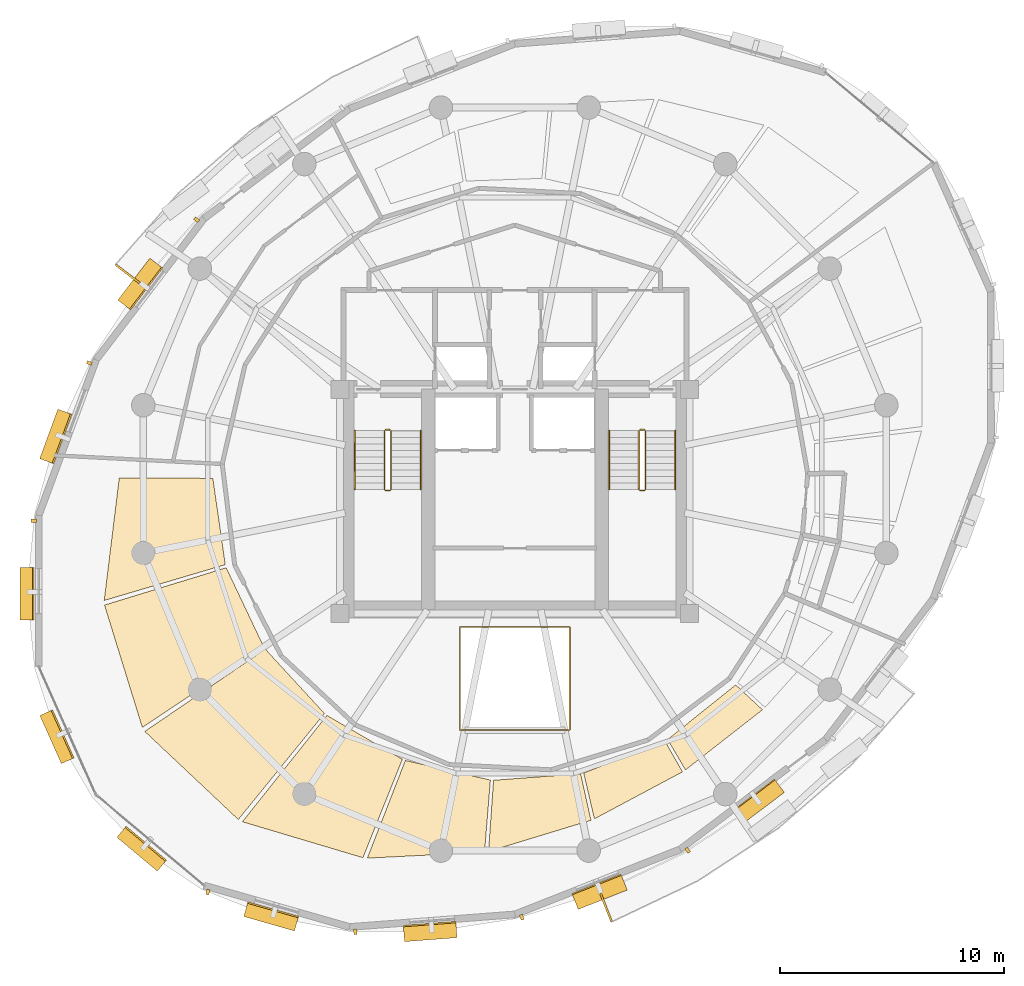
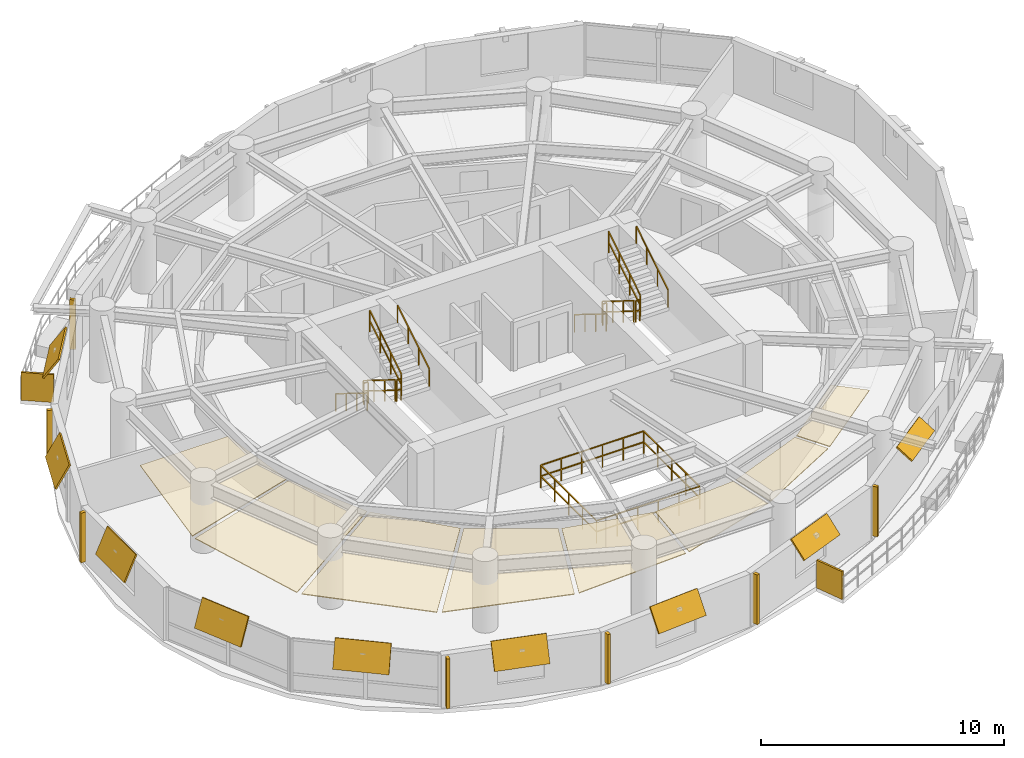
# One storey, part 11 of 12: 18 shading devices, 13 railings, 8 coverings.
"""IFC4 building model written with IfcOpenShell, lengths in metres."""

import ifcopenshell
import ifcopenshell.guid

model = None  # the IFC model being written
_history = None  # IfcOwnerHistory: only IFC2X3 demands one
_inside = {}  # id of a spatial element -> (the spatial element, [elements in it])
_under = {}  # id of a project, library or spatial element -> (it, [spatial elements below it])
_declared = {}  # id of a project -> (the project, [libraries it declares])
_typed = {}  # id of a type object -> (the type object, [elements of that type])
_made_of = {}  # id of a material, layer set ... -> (it, [elements and type objects made of it])


def new_model(schema):
    """Start an empty IFC model of exactly this schema.

    Asked for "IFC4X3", IfcOpenShell would pick the latest addendum, in which some entities
    have other attributes; the version numbers below select the first issue.
    IFC2X3 requires an IfcOwnerHistory on every rooted entity: one is made here for all.
    """
    global model, _history
    if schema == "IFC4X3":
        model = ifcopenshell.file(schema_version=(4, 3, 0, 0))
    else:
        model = ifcopenshell.file(schema=schema)
    _inside.clear()
    _under.clear()
    _declared.clear()
    _typed.clear()
    _made_of.clear()
    _history = None
    if model.schema == "IFC2X3":
        org = make("IfcOrganization", Name="unknown")
        user = make(
            "IfcPersonAndOrganization",
            ThePerson=make("IfcPerson", FamilyName="unknown"),
            TheOrganization=org,
        )
        app = make(
            "IfcApplication",
            ApplicationDeveloper=org,
            Version="unknown",
            ApplicationFullName="unknown",
            ApplicationIdentifier="unknown",
        )
        _history = make(
            "IfcOwnerHistory",
            OwningUser=user,
            OwningApplication=app,
            ChangeAction="ADDED",
            CreationDate=0,
        )
    return model


def make(cls, **values):
    """One entity of the class cls with the attributes given. An attribute that is None is left unset."""
    return model.create_entity(
        cls, **{name: value for name, value in values.items() if value is not None}
    )


def rooted(cls, **values):
    """An entity with a GlobalId (a new one), such as an element, a storey or a relation."""
    return make(cls, GlobalId=ifcopenshell.guid.new(), OwnerHistory=_history, **values)


def si_unit(unit_type, name, prefix=None):
    """IfcSIUnit, for example si_unit("LENGTHUNIT", "METRE", prefix="MILLI")."""
    return make("IfcSIUnit", UnitType=unit_type, Prefix=prefix, Name=name)


def assignment(units):
    """IfcUnitAssignment: the units of a project."""
    return None if units is None else make("IfcUnitAssignment", Units=units)


def point(xyz):
    """IfcCartesianPoint."""
    return None if xyz is None else make("IfcCartesianPoint", Coordinates=xyz)


def direction(xyz):
    """IfcDirection."""
    return None if xyz is None else make("IfcDirection", DirectionRatios=xyz)


def frame(location, z_axis=None, x_axis=None):
    """IfcAxis2Placement3D, a coordinate frame: its origin and axes. An axis left out is left unset."""
    return make(
        "IfcAxis2Placement3D",
        Location=point(location),
        Axis=direction(z_axis),
        RefDirection=direction(x_axis),
    )


def frame_2d(location, x_axis=None):
    """IfcAxis2Placement2D, a coordinate frame in the plane: its origin and x axis."""
    return make(
        "IfcAxis2Placement2D", Location=point(location), RefDirection=direction(x_axis)
    )


def origin():
    """The frame at (0, 0, 0) with its axes left unset."""
    return frame((0.0, 0.0, 0.0))


def origin_2d():
    """The frame at (0, 0) in the plane with its x axis left unset."""
    return frame_2d((0.0, 0.0))


def place(relative_to, where):
    """IfcLocalPlacement: puts the frame where relative to a parent placement (None: the world)."""
    return make(
        "IfcLocalPlacement", PlacementRelTo=relative_to, RelativePlacement=where
    )


def context(
    kind, dimensions, precision=None, world=None, true_north=None, identifier=None
):
    """IfcGeometricRepresentationContext, for example the 3D "Model" context."""
    return make(
        "IfcGeometricRepresentationContext",
        ContextIdentifier=identifier,
        ContextType=kind,
        CoordinateSpaceDimension=dimensions,
        Precision=precision,
        WorldCoordinateSystem=world,
        TrueNorth=true_north,
    )


def subcontext(parent, identifier, kind, view, scale=None):
    """IfcGeometricRepresentationSubContext, for example "Body" below "Model"."""
    return make(
        "IfcGeometricRepresentationSubContext",
        ContextIdentifier=identifier,
        ContextType=kind,
        ParentContext=parent,
        TargetScale=scale,
        TargetView=view,
    )


def project(units=None, contexts=None):
    """IfcProject with its units and contexts."""
    return rooted(
        "IfcProject",
        Name="project",
        RepresentationContexts=contexts,
        UnitsInContext=assignment(units),
    )


def spatial(cls, under=None, at=None, **own):
    """A site, building, storey or space (cls), placed at a placement, below another one or the project."""
    s = rooted(cls, ObjectPlacement=at, **own)
    if under is not None:
        _under.setdefault(under.id(), (under, []))[1].append(s)
    return s


def polyline(points):
    """IfcPolyline through the points."""
    return make("IfcPolyline", Points=[point(p) for p in points])


def profile(cls, at=None, kind="AREA", **sizes):
    """A parametric profile (cls). Its sizes go by their IFC names, for example OverallWidth=200.0."""
    return make(cls, ProfileType=kind, Position=at, **sizes)


def rectangle(**sizes):
    """IfcRectangleProfileDef."""
    return profile("IfcRectangleProfileDef", **sizes)


def outline(outer, holes=None, kind="AREA"):
    """IfcArbitraryClosedProfileDef: a profile drawn as a closed curve; with holes, ...WithVoids."""
    if holes is None:
        return make("IfcArbitraryClosedProfileDef", ProfileType=kind, OuterCurve=outer)
    return make(
        "IfcArbitraryProfileDefWithVoids",
        ProfileType=kind,
        OuterCurve=outer,
        InnerCurves=holes,
    )


def extrude(swept, where, along, depth):
    """IfcExtrudedAreaSolid: the profile swept, set in the frame where, extruded along a direction by depth."""
    return make(
        "IfcExtrudedAreaSolid",
        SweptArea=swept,
        Position=where,
        ExtrudedDirection=direction(along),
        Depth=depth,
    )


def shape(context_of_items, identifier, shape_type, items):
    """IfcShapeRepresentation: the items that make up one representation, for example the "Body"."""
    return make(
        "IfcShapeRepresentation",
        ContextOfItems=context_of_items,
        RepresentationIdentifier=identifier,
        RepresentationType=shape_type,
        Items=items,
    )


def material(Name=None, Category=None):
    """IfcMaterial."""
    return make("IfcMaterial", Name=Name, Category=Category)


def layer(
    of_material, thickness, ventilated=None, Name=None, Category=None, Priority=None
):
    """IfcMaterialLayer: one layer of a wall or slab, of a material (None: an air gap)."""
    return make(
        "IfcMaterialLayer",
        Material=of_material,
        LayerThickness=thickness,
        IsVentilated=ventilated,
        Name=Name,
        Category=Category,
        Priority=Priority,
    )


def layer_set(layers, Name=None):
    """IfcMaterialLayerSet."""
    return make("IfcMaterialLayerSet", MaterialLayers=layers, LayerSetName=Name)


def made_of(thing, what):
    """Note that an element or type object is made of a material, layer set ...; save() writes the relation."""
    if what is not None:
        _made_of.setdefault(what.id(), (what, []))[1].append(thing)
    return thing


def type_object(cls, material=None, **own):
    """A type object (cls), such as IfcWallType, which elements share."""
    return made_of(rooted(cls, **own), material)


def element(
    cls,
    number,
    at=None,
    inside=None,
    cuts=None,
    type_object=None,
    material=None,
    context=None,
    identifier="Body",
    shape_type=None,
    held_by="IfcProductDefinitionShape",
    body=None,
    shapes=None,
    **own,
):
    """One element of the class cls, such as IfcWall. Its Tag is "e" and its number.

    at: its placement. inside: the storey or other place that contains it. cuts: it is an
    opening in that element (IfcRelVoidsElement). A single representation is given by context,
    identifier, shape_type and body (its items); several are given by shapes. held_by: the class
    of the entity that holds the representations. save() writes the other relations.
    """
    e = rooted(cls, Tag="e%d" % number, ObjectPlacement=at, **own)
    if body is not None:
        shapes = [shape(context, identifier, shape_type, body)]
    if shapes is not None:
        e.Representation = make(held_by, Representations=shapes)
    if inside is not None:
        _inside.setdefault(inside.id(), (inside, []))[1].append(e)
    if cuts is not None:
        rooted(
            "IfcRelVoidsElement", RelatingBuildingElement=cuts, RelatedOpeningElement=e
        )
    if type_object is not None:
        _typed.setdefault(type_object.id(), (type_object, []))[1].append(e)
    return made_of(e, material)


def aggregate(whole, parts):
    """IfcRelAggregates: a whole, such as a stair, and the parts it consists of."""
    return rooted("IfcRelAggregates", RelatingObject=whole, RelatedObjects=parts)


def save(model, path):
    """Write the relations noted so far, then the file.

    IfcRelAggregates (storeys below a building ...), IfcRelContainedInSpatialStructure (elements
    in a storey), IfcRelDefinesByType, IfcRelAssociatesMaterial and IfcRelDeclares: one each for
    every whole, place, type object, material and project.
    """
    for whole, parts in _under.values():
        aggregate(whole, parts)
    for where, things in _inside.values():
        rooted(
            "IfcRelContainedInSpatialStructure",
            RelatedElements=things,
            RelatingStructure=where,
        )
    for kind, things in _typed.values():
        rooted("IfcRelDefinesByType", RelatedObjects=things, RelatingType=kind)
    for what, things in _made_of.values():
        rooted("IfcRelAssociatesMaterial", RelatedObjects=things, RelatingMaterial=what)
    for by, libraries in _declared.values():
        rooted("IfcRelDeclares", RelatingContext=by, RelatedDefinitions=libraries)
    model.write(path)


model = new_model("IFC4")

# Units and contexts
model_context = context("Model", 3, precision=1e-05, world=origin(), true_north=direction((0.0, 1.0)))
body_context = subcontext(model_context, "Body", "Model", "MODEL_VIEW")
ifc_project = project(units=[si_unit("LENGTHUNIT", "METRE"), si_unit("AREAUNIT", "SQUARE_METRE"), si_unit("VOLUMEUNIT", "CUBIC_METRE"), si_unit("PLANEANGLEUNIT", "RADIAN"), si_unit("MASSUNIT", "GRAM", prefix="KILO"), si_unit("THERMODYNAMICTEMPERATUREUNIT", "KELVIN"), si_unit("POWERUNIT", "WATT")], contexts=[model_context])

# Site, building, storey
site_placement = place(None, origin())
site = spatial("IfcSite", under=ifc_project, at=site_placement, CompositionType="ELEMENT")
building_placement = place(site_placement, origin())
building = spatial("IfcBuilding", under=site, at=building_placement, Name="Ocrelia Relay Tower", CompositionType="ELEMENT")
storey_placement = place(building_placement, frame((0.0, 0.0, 188.0)))
storey = spatial("IfcBuildingStorey", under=building, at=storey_placement, Name="L45", CompositionType="ELEMENT", Elevation=188.0)

# Coverings
ifc_material_1 = material(Name="Mineral-fiber acoustic ceiling tile", Category="gypsum")
ifc_layer_1 = layer(ifc_material_1, 0.0400390625, Name="Mineral-fiber acoustic ceiling tile")
ifc_layer_set_1 = layer_set([ifc_layer_1], Name="Mineral-fiber acoustic ceiling tile")
covering_type = type_object("IfcCoveringType", Name="COV-CEIL-ACOUSTIC", PredefinedType="CEILING", material=ifc_layer_set_1)
covering_1_placement = place(storey_placement, frame((0.0, 0.0, 2.3798828125)))
element("IfcCovering", 1, at=covering_1_placement, inside=storey, type_object=covering_type, Name="L45 Quiet Day Study Suspended Ceiling 1", PredefinedType="CEILING", context=body_context, shape_type="SweptSolid", body=[
    extrude(outline(polyline([(20.530029296875, 26.035400390625), (16.35205078125, 26.046142578125), (15.680908203125, 20.583251953125), (21.082763671875, 22.1806640625), (20.530029296875, 26.035400390625)])), origin(), (0.0, 0.0, 1.0), 0.0400390625),
])
covering_2_placement = place(storey_placement, frame((0.0, 0.0, 2.3798828125)))
element("IfcCovering", 2, at=covering_2_placement, inside=storey, type_object=covering_type, Name="L45 Quiet Day Study Suspended Ceiling 2", PredefinedType="CEILING", context=body_context, shape_type="SweptSolid", body=[
    extrude(outline(polyline([(21.12353515625, 22.04541015625), (15.694091796875, 20.378173828125), (17.382080078125, 14.91943359375), (22.79296875, 18.52734375), (21.12353515625, 22.04541015625)])), origin(), (0.0, 0.0, 1.0), 0.0400390625),
])
covering_3_placement = place(storey_placement, frame((0.0, 0.0, 2.3798828125)))
element("IfcCovering", 3, at=covering_3_placement, inside=storey, type_object=covering_type, Name="L45 Quiet Day Study Suspended Ceiling 3", PredefinedType="CEILING", context=body_context, shape_type="SweptSolid", body=[
    extrude(outline(polyline([(22.87158203125, 18.410400390625), (17.49169921875, 14.7412109375), (21.66357421875, 10.81103515625), (25.5078125, 15.544189453125), (22.87158203125, 18.410400390625)])), origin(), (0.0, 0.0, 1.0), 0.0400390625),
])
covering_4_placement = place(storey_placement, frame((0.0, 0.0, 2.3798828125)))
element("IfcCovering", 4, at=covering_4_placement, inside=storey, type_object=covering_type, Name="L45 Quiet Day Study Suspended Ceiling 4", PredefinedType="CEILING", context=body_context, shape_type="SweptSolid", body=[
    extrude(outline(polyline([(25.617919921875, 15.455810546875), (21.845703125, 10.7109375), (27.222412109375, 9.107421875), (28.984375, 13.49853515625), (25.617919921875, 15.455810546875)])), origin(), (0.0, 0.0, 1.0), 0.0400390625),
])
covering_5_placement = place(storey_placement, frame((0.0, 0.0, 2.3798828125)))
element("IfcCovering", 5, at=covering_5_placement, inside=storey, type_object=covering_type, Name="L45 Quiet Day Study Suspended Ceiling 5", PredefinedType="CEILING", context=body_context, shape_type="SweptSolid", body=[
    extrude(outline(polyline([(29.115478515625, 13.44677734375), (27.41943359375, 9.087890625), (32.649169921875, 9.351806640625), (32.91064453125, 12.57421875), (29.115478515625, 13.44677734375)])), origin(), (0.0, 0.0, 1.0), 0.0400390625),
])
covering_6_placement = place(storey_placement, frame((0.0, 0.0, 2.3798828125)))
element("IfcCovering", 6, at=covering_6_placement, inside=storey, type_object=covering_type, Name="L45 Quiet Day Study Suspended Ceiling 6", PredefinedType="CEILING", context=body_context, shape_type="SweptSolid", body=[
    extrude(outline(polyline([(33.05126953125, 12.5634765625), (32.826904296875, 9.38525390625), (37.39794921875, 10.778076171875), (36.9345703125, 12.853515625), (33.05126953125, 12.5634765625)])), origin(), (0.0, 0.0, 1.0), 0.0400390625),
])
covering_7_placement = place(storey_placement, frame((0.0, 0.0, 2.3798828125)))
element("IfcCovering", 7, at=covering_7_placement, inside=storey, type_object=covering_type, Name="L45 Quiet Day Study Suspended Ceiling 7", PredefinedType="CEILING", context=body_context, shape_type="SweptSolid", body=[
    extrude(outline(polyline([(37.072021484375, 12.885009765625), (37.550537109375, 10.84228515625), (41.48193359375, 12.938720703125), (40.6953125, 14.311767578125), (37.072021484375, 12.885009765625)])), origin(), (0.0, 0.0, 1.0), 0.0400390625),
])
covering_8_placement = place(storey_placement, frame((0.0, 0.0, 2.3798828125)))
element("IfcCovering", 8, at=covering_8_placement, inside=storey, type_object=covering_type, Name="L45 Quiet Day Study Suspended Ceiling 8", PredefinedType="CEILING", context=body_context, shape_type="SweptSolid", body=[
    extrude(outline(polyline([(40.8173828125, 14.382568359375), (41.614013671875, 13.02490234375), (45.048095703125, 15.70751953125), (43.855712890625, 16.818359375), (40.8173828125, 14.382568359375)])), origin(), (0.0, 0.0, 1.0), 0.0400390625),
])

# Railings
ifc_material_2 = material(Name="Steel S355 atrium balustrade", Category="steel")
railing_type_1 = type_object("IfcRailingType", Name="RL-INT-GUARD-115", PredefinedType="GUARDRAIL", material=ifc_material_2)
railing_1_placement = place(storey_placement, frame((31.550048828125, 14.800048828125, 0.0)))
element("IfcRailing", 9, at=railing_1_placement, inside=storey, type_object=railing_type_1, Name="L45 Multi-Zone Interior Atrium Guard", PredefinedType="GUARDRAIL", context=body_context, shape_type="SweptSolid", body=[
    extrude(rectangle(XDim=0.048095703125, YDim=0.048095703125, at=origin_2d()), frame((0.0, 0.0, 1.1259765625), z_axis=(1.0, 0.0, 0.0), x_axis=(0.0, 1.0, 0.0)), (0.0, 0.0, 1.0), 4.89990234375),
    extrude(rectangle(XDim=0.048095703125, YDim=0.048095703125, at=origin_2d()), frame((0.0, 0.0, 0.574951171875), z_axis=(1.0, 0.0, 0.0), x_axis=(0.0, 1.0, 0.0)), (0.0, 0.0, 1.0), 4.89990234375),
    extrude(rectangle(XDim=0.048095703125, YDim=0.048095703125, at=origin_2d()), frame((4.89990234375, 0.0, 1.1259765625), z_axis=(0.0, 1.0, 0.0), x_axis=(-1.0, 0.0, 0.0)), (0.0, 0.0, 1.0), 4.599853515625),
    extrude(rectangle(XDim=0.048095703125, YDim=0.048095703125, at=origin_2d()), frame((4.89990234375, 0.0, 0.574951171875), z_axis=(0.0, 1.0, 0.0), x_axis=(-1.0, 0.0, 0.0)), (0.0, 0.0, 1.0), 4.599853515625),
    extrude(rectangle(XDim=0.048095703125, YDim=0.048095703125, at=origin_2d()), frame((4.89990234375, 4.599853515625, 1.1259765625), z_axis=(-1.0, 0.0, 0.0), x_axis=(0.0, -1.0, 0.0)), (0.0, 0.0, 1.0), 4.89990234375),
    extrude(rectangle(XDim=0.048095703125, YDim=0.048095703125, at=origin_2d()), frame((4.89990234375, 4.599853515625, 0.574951171875), z_axis=(-1.0, 0.0, 0.0), x_axis=(0.0, -1.0, 0.0)), (0.0, 0.0, 1.0), 4.89990234375),
    extrude(rectangle(XDim=0.048095703125, YDim=0.048095703125, at=origin_2d()), frame((0.0, 4.599853515625, 1.1259765625), z_axis=(0.0, -1.0, 0.0), x_axis=(1.0, 0.0, 0.0)), (0.0, 0.0, 1.0), 4.599853515625),
    extrude(rectangle(XDim=0.048095703125, YDim=0.048095703125, at=origin_2d()), frame((0.0, 4.599853515625, 0.574951171875), z_axis=(0.0, -1.0, 0.0), x_axis=(1.0, 0.0, 0.0)), (0.0, 0.0, 1.0), 4.599853515625),
    extrude(rectangle(XDim=0.0419921875, YDim=0.0419921875, at=origin_2d()), origin(), (0.0, 0.0, 1.0), 1.101806640625),
    extrude(rectangle(XDim=0.0419921875, YDim=0.0419921875, at=origin_2d()), frame((0.97998046875, 0.0, 0.0)), (0.0, 0.0, 1.0), 1.101806640625),
    extrude(rectangle(XDim=0.0419921875, YDim=0.0419921875, at=origin_2d()), frame((1.9599609375, 0.0, 0.0)), (0.0, 0.0, 1.0), 1.101806640625),
    extrude(rectangle(XDim=0.0419921875, YDim=0.0419921875, at=origin_2d()), frame((2.93994140625, 0.0, 0.0)), (0.0, 0.0, 1.0), 1.101806640625),
    extrude(rectangle(XDim=0.0419921875, YDim=0.0419921875, at=origin_2d()), frame((3.919921875, 0.0, 0.0)), (0.0, 0.0, 1.0), 1.101806640625),
    extrude(rectangle(XDim=0.0419921875, YDim=0.0419921875, at=origin_2d()), frame((4.89990234375, 0.0, 0.0)), (0.0, 0.0, 1.0), 1.101806640625),
    extrude(rectangle(XDim=0.0419921875, YDim=0.0419921875, at=origin_2d()), frame((4.89990234375, 1.14990234375, 0.0)), (0.0, 0.0, 1.0), 1.101806640625),
    extrude(rectangle(XDim=0.0419921875, YDim=0.0419921875, at=origin_2d()), frame((4.89990234375, 2.2998046875, 0.0)), (0.0, 0.0, 1.0), 1.101806640625),
    extrude(rectangle(XDim=0.0419921875, YDim=0.0419921875, at=origin_2d()), frame((4.89990234375, 3.449951171875, 0.0)), (0.0, 0.0, 1.0), 1.101806640625),
    extrude(rectangle(XDim=0.0419921875, YDim=0.0419921875, at=origin_2d()), frame((4.89990234375, 4.599853515625, 0.0)), (0.0, 0.0, 1.0), 1.101806640625),
    extrude(rectangle(XDim=0.0419921875, YDim=0.0419921875, at=origin_2d()), frame((3.919921875, 4.599853515625, 0.0)), (0.0, 0.0, 1.0), 1.101806640625),
    extrude(rectangle(XDim=0.0419921875, YDim=0.0419921875, at=origin_2d()), frame((2.93994140625, 4.599853515625, 0.0)), (0.0, 0.0, 1.0), 1.101806640625),
    extrude(rectangle(XDim=0.0419921875, YDim=0.0419921875, at=origin_2d()), frame((1.9599609375, 4.599853515625, 0.0)), (0.0, 0.0, 1.0), 1.101806640625),
    extrude(rectangle(XDim=0.0419921875, YDim=0.0419921875, at=origin_2d()), frame((0.97998046875, 4.599853515625, 0.0)), (0.0, 0.0, 1.0), 1.101806640625),
    extrude(rectangle(XDim=0.0419921875, YDim=0.0419921875, at=origin_2d()), frame((0.0, 4.599853515625, 0.0)), (0.0, 0.0, 1.0), 1.101806640625),
    extrude(rectangle(XDim=0.0419921875, YDim=0.0419921875, at=origin_2d()), frame((0.0, 3.449951171875, 0.0)), (0.0, 0.0, 1.0), 1.101806640625),
    extrude(rectangle(XDim=0.0419921875, YDim=0.0419921875, at=origin_2d()), frame((0.0, 2.2998046875, 0.0)), (0.0, 0.0, 1.0), 1.101806640625),
    extrude(rectangle(XDim=0.0419921875, YDim=0.0419921875, at=origin_2d()), frame((0.0, 1.14990234375, 0.0)), (0.0, 0.0, 1.0), 1.101806640625),
])
ifc_material_3 = material(Name="Steel S355 balustrade", Category="steel")
railing_type_2 = type_object("IfcRailingType", Name="RL-STAIR-GUARD", PredefinedType="GUARDRAIL", material=ifc_material_3)
railing_2_placement = place(storey_placement, frame((28.179931640625, 28.14990234375, 0.179931640625)))
element("IfcRailing", 10, at=railing_2_placement, inside=storey, type_object=railing_type_2, Name="L45 ST1 stair guard 1", PredefinedType="GUARDRAIL", context=body_context, shape_type="SweptSolid", body=[
    extrude(rectangle(XDim=0.048095703125, YDim=0.048095703125, at=origin_2d()), frame((0.0, 0.0, 1.076171875), z_axis=(0.0, -0.849610693518, 0.52741034258), x_axis=(1.0, 0.0, 0.0)), (0.0, 0.0, 1.0), 3.07177734375),
    extrude(rectangle(XDim=0.048095703125, YDim=0.048095703125, at=origin_2d()), frame((0.0, 0.0, 0.550048828125), z_axis=(0.0, -0.849610693518, 0.52741034258), x_axis=(1.0, 0.0, 0.0)), (0.0, 0.0, 1.0), 3.07177734375),
    extrude(rectangle(XDim=0.0419921875, YDim=0.0419921875, at=origin_2d()), origin(), (0.0, 0.0, 1.0), 1.052001953125),
    extrude(rectangle(XDim=0.0419921875, YDim=0.0419921875, at=origin_2d()), frame((0.0, -0.869873046875, 0.5400390625)), (0.0, 0.0, 1.0), 1.052001953125),
    extrude(rectangle(XDim=0.0419921875, YDim=0.0419921875, at=origin_2d()), frame((0.0, -1.739990234375, 1.080078125)), (0.0, 0.0, 1.0), 1.052001953125),
    extrude(rectangle(XDim=0.0419921875, YDim=0.0419921875, at=origin_2d()), frame((0.0, -2.60986328125, 1.6201171875)), (0.0, 0.0, 1.0), 1.052001953125),
])
railing_3_placement = place(storey_placement, frame((28.22998046875, 25.489990234375, 1.800048828125)))
element("IfcRailing", 11, at=railing_3_placement, inside=storey, type_object=railing_type_2, Name="L45 ST1 stair guard 2", PredefinedType="GUARDRAIL", context=body_context, shape_type="SweptSolid", body=[
    extrude(rectangle(XDim=0.048095703125, YDim=0.048095703125, at=origin_2d()), frame((0.0, 0.0, 1.076171875), z_axis=(1.0, 0.0, 0.0), x_axis=(0.0, 1.0, 0.0)), (0.0, 0.0, 1.0), 0.199951171875),
    extrude(rectangle(XDim=0.048095703125, YDim=0.048095703125, at=origin_2d()), frame((0.0, 0.0, 0.550048828125), z_axis=(1.0, 0.0, 0.0), x_axis=(0.0, 1.0, 0.0)), (0.0, 0.0, 1.0), 0.199951171875),
    extrude(rectangle(XDim=0.0419921875, YDim=0.0419921875, at=origin_2d()), origin(), (0.0, 0.0, 1.0), 1.052001953125),
    extrude(rectangle(XDim=0.0419921875, YDim=0.0419921875, at=origin_2d()), frame((0.199951171875, 0.0, 0.0)), (0.0, 0.0, 1.0), 1.052001953125),
])
railing_4_placement = place(storey_placement, frame((28.47998046875, 25.5400390625, 1.97998046875)))
element("IfcRailing", 12, at=railing_4_placement, inside=storey, type_object=railing_type_2, Name="L45 ST1 stair guard 3", PredefinedType="GUARDRAIL", context=body_context, shape_type="SweptSolid", body=[
    extrude(rectangle(XDim=0.048095703125, YDim=0.048095703125, at=origin_2d()), frame((0.0, 0.0, 1.076171875), z_axis=(0.0, 0.849610693518, 0.52741034258), x_axis=(-1.0, 0.0, 0.0)), (0.0, 0.0, 1.0), 3.07177734375),
    extrude(rectangle(XDim=0.048095703125, YDim=0.048095703125, at=origin_2d()), frame((0.0, 0.0, 0.550048828125), z_axis=(0.0, 0.849610693518, 0.52741034258), x_axis=(-1.0, 0.0, 0.0)), (0.0, 0.0, 1.0), 3.07177734375),
    extrude(rectangle(XDim=0.0419921875, YDim=0.0419921875, at=origin_2d()), origin(), (0.0, 0.0, 1.0), 1.052001953125),
    extrude(rectangle(XDim=0.0419921875, YDim=0.0419921875, at=origin_2d()), frame((0.0, 0.869873046875, 0.5400390625)), (0.0, 0.0, 1.0), 1.052001953125),
    extrude(rectangle(XDim=0.0419921875, YDim=0.0419921875, at=origin_2d()), frame((0.0, 1.739990234375, 1.080078125)), (0.0, 0.0, 1.0), 1.052001953125),
    extrude(rectangle(XDim=0.0419921875, YDim=0.0419921875, at=origin_2d()), frame((0.0, 2.60986328125, 1.6201171875)), (0.0, 0.0, 1.0), 1.052001953125),
])
railing_5_placement = place(storey_placement, frame((28.22998046875, 28.199951171875, 0.0)))
element("IfcRailing", 13, at=railing_5_placement, inside=storey, type_object=railing_type_2, Name="L45 ST1 stair guard 4", PredefinedType="GUARDRAIL", context=body_context, shape_type="SweptSolid", body=[
    extrude(rectangle(XDim=0.048095703125, YDim=0.048095703125, at=origin_2d()), frame((0.0, 0.0, 1.076171875), z_axis=(1.0, 0.0, 0.0), x_axis=(0.0, 1.0, 0.0)), (0.0, 0.0, 1.0), 0.199951171875),
    extrude(rectangle(XDim=0.048095703125, YDim=0.048095703125, at=origin_2d()), frame((0.0, 0.0, 0.550048828125), z_axis=(1.0, 0.0, 0.0), x_axis=(0.0, 1.0, 0.0)), (0.0, 0.0, 1.0), 0.199951171875),
    extrude(rectangle(XDim=0.0419921875, YDim=0.0419921875, at=origin_2d()), origin(), (0.0, 0.0, 1.0), 1.052001953125),
    extrude(rectangle(XDim=0.0419921875, YDim=0.0419921875, at=origin_2d()), frame((0.199951171875, 0.0, 0.0)), (0.0, 0.0, 1.0), 1.052001953125),
])
railing_6_placement = place(storey_placement, frame((39.530029296875, 28.14990234375, 0.179931640625)))
element("IfcRailing", 14, at=railing_6_placement, inside=storey, type_object=railing_type_2, Name="L45 ST2 stair guard 1", PredefinedType="GUARDRAIL", context=body_context, shape_type="SweptSolid", body=[
    extrude(rectangle(XDim=0.048095703125, YDim=0.048095703125, at=origin_2d()), frame((0.0, 0.0, 1.076171875), z_axis=(0.0, -0.849610693518, 0.52741034258), x_axis=(1.0, 0.0, 0.0)), (0.0, 0.0, 1.0), 3.07177734375),
    extrude(rectangle(XDim=0.048095703125, YDim=0.048095703125, at=origin_2d()), frame((0.0, 0.0, 0.550048828125), z_axis=(0.0, -0.849610693518, 0.52741034258), x_axis=(1.0, 0.0, 0.0)), (0.0, 0.0, 1.0), 3.07177734375),
    extrude(rectangle(XDim=0.0419921875, YDim=0.0419921875, at=origin_2d()), origin(), (0.0, 0.0, 1.0), 1.052001953125),
    extrude(rectangle(XDim=0.0419921875, YDim=0.0419921875, at=origin_2d()), frame((0.0, -0.869873046875, 0.5400390625)), (0.0, 0.0, 1.0), 1.052001953125),
    extrude(rectangle(XDim=0.0419921875, YDim=0.0419921875, at=origin_2d()), frame((0.0, -1.739990234375, 1.080078125)), (0.0, 0.0, 1.0), 1.052001953125),
    extrude(rectangle(XDim=0.0419921875, YDim=0.0419921875, at=origin_2d()), frame((0.0, -2.60986328125, 1.6201171875)), (0.0, 0.0, 1.0), 1.052001953125),
])
railing_7_placement = place(storey_placement, frame((39.580078125, 25.489990234375, 1.800048828125)))
element("IfcRailing", 15, at=railing_7_placement, inside=storey, type_object=railing_type_2, Name="L45 ST2 stair guard 2", PredefinedType="GUARDRAIL", context=body_context, shape_type="SweptSolid", body=[
    extrude(rectangle(XDim=0.048095703125, YDim=0.048095703125, at=origin_2d()), frame((0.0, 0.0, 1.076171875), z_axis=(1.0, 0.0, 0.0), x_axis=(0.0, 1.0, 0.0)), (0.0, 0.0, 1.0), 0.199951171875),
    extrude(rectangle(XDim=0.048095703125, YDim=0.048095703125, at=origin_2d()), frame((0.0, 0.0, 0.550048828125), z_axis=(1.0, 0.0, 0.0), x_axis=(0.0, 1.0, 0.0)), (0.0, 0.0, 1.0), 0.199951171875),
    extrude(rectangle(XDim=0.0419921875, YDim=0.0419921875, at=origin_2d()), origin(), (0.0, 0.0, 1.0), 1.052001953125),
    extrude(rectangle(XDim=0.0419921875, YDim=0.0419921875, at=origin_2d()), frame((0.199951171875, 0.0, 0.0)), (0.0, 0.0, 1.0), 1.052001953125),
])
railing_8_placement = place(storey_placement, frame((39.830078125, 25.5400390625, 1.97998046875)))
element("IfcRailing", 16, at=railing_8_placement, inside=storey, type_object=railing_type_2, Name="L45 ST2 stair guard 3", PredefinedType="GUARDRAIL", context=body_context, shape_type="SweptSolid", body=[
    extrude(rectangle(XDim=0.048095703125, YDim=0.048095703125, at=origin_2d()), frame((0.0, 0.0, 1.076171875), z_axis=(0.0, 0.849610693518, 0.52741034258), x_axis=(-1.0, 0.0, 0.0)), (0.0, 0.0, 1.0), 3.07177734375),
    extrude(rectangle(XDim=0.048095703125, YDim=0.048095703125, at=origin_2d()), frame((0.0, 0.0, 0.550048828125), z_axis=(0.0, 0.849610693518, 0.52741034258), x_axis=(-1.0, 0.0, 0.0)), (0.0, 0.0, 1.0), 3.07177734375),
    extrude(rectangle(XDim=0.0419921875, YDim=0.0419921875, at=origin_2d()), origin(), (0.0, 0.0, 1.0), 1.052001953125),
    extrude(rectangle(XDim=0.0419921875, YDim=0.0419921875, at=origin_2d()), frame((0.0, 0.869873046875, 0.5400390625)), (0.0, 0.0, 1.0), 1.052001953125),
    extrude(rectangle(XDim=0.0419921875, YDim=0.0419921875, at=origin_2d()), frame((0.0, 1.739990234375, 1.080078125)), (0.0, 0.0, 1.0), 1.052001953125),
    extrude(rectangle(XDim=0.0419921875, YDim=0.0419921875, at=origin_2d()), frame((0.0, 2.60986328125, 1.6201171875)), (0.0, 0.0, 1.0), 1.052001953125),
])
railing_9_placement = place(storey_placement, frame((39.580078125, 28.199951171875, 0.0)))
element("IfcRailing", 17, at=railing_9_placement, inside=storey, type_object=railing_type_2, Name="L45 ST2 stair guard 4", PredefinedType="GUARDRAIL", context=body_context, shape_type="SweptSolid", body=[
    extrude(rectangle(XDim=0.048095703125, YDim=0.048095703125, at=origin_2d()), frame((0.0, 0.0, 1.076171875), z_axis=(1.0, 0.0, 0.0), x_axis=(0.0, 1.0, 0.0)), (0.0, 0.0, 1.0), 0.199951171875),
    extrude(rectangle(XDim=0.048095703125, YDim=0.048095703125, at=origin_2d()), frame((0.0, 0.0, 0.550048828125), z_axis=(1.0, 0.0, 0.0), x_axis=(0.0, 1.0, 0.0)), (0.0, 0.0, 1.0), 0.199951171875),
    extrude(rectangle(XDim=0.0419921875, YDim=0.0419921875, at=origin_2d()), origin(), (0.0, 0.0, 1.0), 1.052001953125),
    extrude(rectangle(XDim=0.0419921875, YDim=0.0419921875, at=origin_2d()), frame((0.199951171875, 0.0, 0.0)), (0.0, 0.0, 1.0), 1.052001953125),
])
ifc_material_4 = material(Name="Steel S355 tubular handrail", Category="steel")
railing_type_3 = type_object("IfcRailingType", Name="RL-STAIR-HAND", PredefinedType="HANDRAIL", material=ifc_material_4)
railing_10_placement = place(storey_placement, frame((26.860107421875, 28.14990234375, 0.179931640625)))
element("IfcRailing", 18, at=railing_10_placement, inside=storey, type_object=railing_type_3, Name="L45 ST1 stair handrail 1", PredefinedType="HANDRAIL", context=body_context, shape_type="SweptSolid", body=[
    extrude(rectangle(XDim=0.048095703125, YDim=0.048095703125, at=origin_2d()), frame((0.0, 0.0, 0.8759765625), z_axis=(0.0, -0.849610693518, 0.52741034258), x_axis=(1.0, 0.0, 0.0)), (0.0, 0.0, 1.0), 3.07177734375),
    extrude(rectangle(XDim=0.0419921875, YDim=0.0419921875, at=origin_2d()), origin(), (0.0, 0.0, 1.0), 0.851806640625),
    extrude(rectangle(XDim=0.0419921875, YDim=0.0419921875, at=origin_2d()), frame((0.0, -0.869873046875, 0.5400390625)), (0.0, 0.0, 1.0), 0.851806640625),
    extrude(rectangle(XDim=0.0419921875, YDim=0.0419921875, at=origin_2d()), frame((0.0, -1.739990234375, 1.080078125)), (0.0, 0.0, 1.0), 0.851806640625),
    extrude(rectangle(XDim=0.0419921875, YDim=0.0419921875, at=origin_2d()), frame((0.0, -2.60986328125, 1.6201171875)), (0.0, 0.0, 1.0), 0.851806640625),
])
railing_11_placement = place(storey_placement, frame((29.800048828125, 25.5400390625, 1.97998046875)))
element("IfcRailing", 19, at=railing_11_placement, inside=storey, type_object=railing_type_3, Name="L45 ST1 stair handrail 2", PredefinedType="HANDRAIL", context=body_context, shape_type="SweptSolid", body=[
    extrude(rectangle(XDim=0.048095703125, YDim=0.048095703125, at=origin_2d()), frame((0.0, 0.0, 0.8759765625), z_axis=(0.0, 0.849610693518, 0.52741034258), x_axis=(-1.0, 0.0, 0.0)), (0.0, 0.0, 1.0), 3.07177734375),
    extrude(rectangle(XDim=0.0419921875, YDim=0.0419921875, at=origin_2d()), origin(), (0.0, 0.0, 1.0), 0.851806640625),
    extrude(rectangle(XDim=0.0419921875, YDim=0.0419921875, at=origin_2d()), frame((0.0, 0.869873046875, 0.5400390625)), (0.0, 0.0, 1.0), 0.851806640625),
    extrude(rectangle(XDim=0.0419921875, YDim=0.0419921875, at=origin_2d()), frame((0.0, 1.739990234375, 1.080078125)), (0.0, 0.0, 1.0), 0.851806640625),
    extrude(rectangle(XDim=0.0419921875, YDim=0.0419921875, at=origin_2d()), frame((0.0, 2.60986328125, 1.6201171875)), (0.0, 0.0, 1.0), 0.851806640625),
])
railing_12_placement = place(storey_placement, frame((38.2099609375, 28.14990234375, 0.179931640625)))
element("IfcRailing", 20, at=railing_12_placement, inside=storey, type_object=railing_type_3, Name="L45 ST2 stair handrail 1", PredefinedType="HANDRAIL", context=body_context, shape_type="SweptSolid", body=[
    extrude(rectangle(XDim=0.048095703125, YDim=0.048095703125, at=origin_2d()), frame((0.0, 0.0, 0.8759765625), z_axis=(0.0, -0.849610693518, 0.52741034258), x_axis=(1.0, 0.0, 0.0)), (0.0, 0.0, 1.0), 3.07177734375),
    extrude(rectangle(XDim=0.0419921875, YDim=0.0419921875, at=origin_2d()), origin(), (0.0, 0.0, 1.0), 0.851806640625),
    extrude(rectangle(XDim=0.0419921875, YDim=0.0419921875, at=origin_2d()), frame((0.0, -0.869873046875, 0.5400390625)), (0.0, 0.0, 1.0), 0.851806640625),
    extrude(rectangle(XDim=0.0419921875, YDim=0.0419921875, at=origin_2d()), frame((0.0, -1.739990234375, 1.080078125)), (0.0, 0.0, 1.0), 0.851806640625),
    extrude(rectangle(XDim=0.0419921875, YDim=0.0419921875, at=origin_2d()), frame((0.0, -2.60986328125, 1.6201171875)), (0.0, 0.0, 1.0), 0.851806640625),
])
railing_13_placement = place(storey_placement, frame((41.14990234375, 25.5400390625, 1.97998046875)))
element("IfcRailing", 21, at=railing_13_placement, inside=storey, type_object=railing_type_3, Name="L45 ST2 stair handrail 2", PredefinedType="HANDRAIL", context=body_context, shape_type="SweptSolid", body=[
    extrude(rectangle(XDim=0.048095703125, YDim=0.048095703125, at=origin_2d()), frame((0.0, 0.0, 0.8759765625), z_axis=(0.0, 0.849610693518, 0.52741034258), x_axis=(-1.0, 0.0, 0.0)), (0.0, 0.0, 1.0), 3.07177734375),
    extrude(rectangle(XDim=0.0419921875, YDim=0.0419921875, at=origin_2d()), origin(), (0.0, 0.0, 1.0), 0.851806640625),
    extrude(rectangle(XDim=0.0419921875, YDim=0.0419921875, at=origin_2d()), frame((0.0, 0.869873046875, 0.5400390625)), (0.0, 0.0, 1.0), 0.851806640625),
    extrude(rectangle(XDim=0.0419921875, YDim=0.0419921875, at=origin_2d()), frame((0.0, 1.739990234375, 1.080078125)), (0.0, 0.0, 1.0), 0.851806640625),
    extrude(rectangle(XDim=0.0419921875, YDim=0.0419921875, at=origin_2d()), frame((0.0, 2.60986328125, 1.6201171875)), (0.0, 0.0, 1.0), 0.851806640625),
])

# Shading devices
ifc_material_5 = material(Name="Perforated oxide terracotta solar screen", Category="masonry")
ifc_layer_2 = layer(ifc_material_5, 0.090087890625, Name="Perforated oxide terracotta solar screen")
ifc_layer_set_2 = layer_set([ifc_layer_2], Name="Perforated oxide terracotta solar screen")
shading_device_type_1 = type_object("IfcShadingDeviceType", Name="SH-BALC-SCREEN", PredefinedType="USERDEFINED", material=ifc_layer_set_2)
for number, where, z_axis, x_axis, name in (
    (22, (16.73193359375, 35.151611328125, 0.0), (0.0, 0.0, 1.0), (-0.795430072655, 0.60604537744, 0.0), "L45 Balcony Perforated Terracotta Screen B1-2"),
    (23, (38.07080078125, 6.885498046875, 0.0), (0.0, 0.0, 1.0), (0.364935069914, -0.93103297189, 0.0), "L45 Balcony Perforated Terracotta Screen B2-1"),
):
    element("IfcShadingDevice", number, at=place(storey_placement, frame(where, z_axis=z_axis, x_axis=x_axis)), inside=storey, type_object=shading_device_type_1, Name=name, ObjectType="SCREEN", PredefinedType="USERDEFINED", context=body_context, shape_type="SweptSolid", body=[
        extrude(rectangle(XDim=1.340087890625, YDim=0.090087890625, at=origin_2d()), origin(), (0.0, 0.0, 1.0), 1.39990234375),
    ])
ifc_material_6 = material(Name="Extruded oxide terracotta vertical baguette", Category="masonry")
shading_device_type_2 = type_object("IfcShadingDeviceType", Name="SH-TERR-BAGUETTE", PredefinedType="USERDEFINED", material=ifc_material_6)
for number, where, z_axis, x_axis, name in (
    (24, (19.807373046875, 37.56982421875, 0.080078125), (0.0, 0.0, 1.0), (-0.607259515871, -0.794503543343, 0.0), "L45 Oxide Terracotta Vertical Baguette 06"),
    (25, (15.023193359375, 31.17724609375, 0.080078125), (0.0, 0.0, 1.0), (-0.346195816944, -0.938162276118, 0.0), "L45 Oxide Terracotta Vertical Baguette 07"),
    (26, (12.531005859375, 24.142578125, 0.080078125), (0.0, 0.0, 1.0), (0.00010377904, -0.999999994615, 0.0), "L45 Oxide Terracotta Vertical Baguette 08"),
    (27, (20.306884765625, 7.578369140625, 0.080078125), (0.0, 0.0, 1.0), (0.961710584417, -0.274067057161, 0.0), "L45 Oxide Terracotta Vertical Baguette 11"),
    (28, (26.8828125, 5.8056640625, 0.080078125), (0.0, 0.0, 1.0), (0.997113113744, 0.075930483991, 0.0), "L45 Oxide Terracotta Vertical Baguette 12"),
    (29, (34.309814453125, 6.452392578125, 0.080078125), (0.0, 0.0, 1.0), (0.930471083257, 0.366365341186, 0.0), "L45 Oxide Terracotta Vertical Baguette 13"),
    (30, (41.708251953125, 9.443603515625, 0.080078125), (0.0, 0.0, 1.0), (0.798105974055, 0.60251709866, 0.0), "L45 Oxide Terracotta Vertical Baguette 14"),
):
    element("IfcShadingDevice", number, at=place(storey_placement, frame(where, z_axis=z_axis, x_axis=x_axis)), inside=storey, type_object=shading_device_type_2, Name=name, ObjectType="BAGUETTE", PredefinedType="USERDEFINED", context=body_context, shape_type="SweptSolid", body=[
        extrude(rectangle(XDim=0.139892578125, YDim=0.239990234375, at=origin_2d()), origin(), (0.0, 0.0, 1.0), 2.5),
    ])
ifc_material_7 = material(Name="Extruded oxide terracotta fin", Category="masonry")
ifc_layer_3 = layer(ifc_material_7, 0.080078125, Name="Extruded oxide terracotta fin")
ifc_layer_set_3 = layer_set([ifc_layer_3], Name="Extruded oxide terracotta fin")
shading_device_type_3 = type_object("IfcShadingDeviceType", Name="SH-VISOR-FIN-DEEP", PredefinedType="USERDEFINED", material=ifc_layer_set_3)
shading_device_1_placement = place(storey_placement, frame((17.3173828125, 34.6796875, 2.47802734375), z_axis=(-0.66336590894, 0.50702764523, 0.550335023262), x_axis=(-0.607259515871, -0.794503543343, 0.0)))
element("IfcShadingDevice", 31, at=shading_device_1_placement, inside=storey, type_object=shading_device_type_3, Name="L45 Canted Terracotta Sun-Visor Fin 06", ObjectType="FIN", PredefinedType="USERDEFINED", context=body_context, shape_type="SweptSolid", body=[
    extrude(rectangle(XDim=2.35009765625, YDim=1.193115234375, at=origin_2d()), origin(), (0.0, 0.0, 1.0), 0.080078125),
])
shading_device_2_placement = place(storey_placement, frame((13.5546875, 27.888916015625, 2.481689453125), z_axis=(-0.833817313538, 0.307690975634, 0.458339340618), x_axis=(-0.346195816944, -0.938162276118, 0.0)))
element("IfcShadingDevice", 32, at=shading_device_2_placement, inside=storey, type_object=shading_device_type_3, Name="L45 Canted Terracotta Sun-Visor Fin 07", ObjectType="FIN", PredefinedType="USERDEFINED", context=body_context, shape_type="SweptSolid", body=[
    extrude(rectangle(XDim=2.35009765625, YDim=1.294921875, at=origin_2d()), origin(), (0.0, 0.0, 1.0), 0.080078125),
])
shading_device_3_placement = place(storey_placement, frame((12.2763671875, 20.8876953125, 2.4833984375), z_axis=(-0.909888874493, -9.4427394e-05, 0.414852054542), x_axis=(0.00010377904, -0.999999994615, 0.0)))
element("IfcShadingDevice", 33, at=shading_device_3_placement, inside=storey, type_object=shading_device_type_3, Name="L45 Canted Terracotta Sun-Visor Fin 08", ObjectType="FIN", PredefinedType="USERDEFINED", context=body_context, shape_type="SweptSolid", body=[
    extrude(rectangle(XDim=2.35009765625, YDim=1.342041015625, at=origin_2d()), origin(), (0.0, 0.0, 1.0), 0.080078125),
])
shading_device_4_placement = place(storey_placement, frame((13.60791015625, 14.5205078125, 2.483642578125), z_axis=(-0.833657031618, -0.372387347091, 0.407852445573), x_axis=(0.407850854361, -0.913048564205, 0.0)))
element("IfcShadingDevice", 34, at=shading_device_4_placement, inside=storey, type_object=shading_device_type_3, Name="L45 Canted Terracotta Sun-Visor Fin 09", ObjectType="FIN", PredefinedType="USERDEFINED", context=body_context, shape_type="SweptSolid", body=[
    extrude(rectangle(XDim=2.35009765625, YDim=1.34912109375, at=origin_2d()), origin(), (0.0, 0.0, 1.0), 0.080078125),
])
shading_device_5_placement = place(storey_placement, frame((17.377197265625, 9.536865234375, 2.48291015625), z_axis=(-0.580236282855, -0.692246513038, 0.42909278862), x_axis=(0.766386416284, -0.642379841632, 0.0)))
element("IfcShadingDevice", 35, at=shading_device_5_placement, inside=storey, type_object=shading_device_type_3, Name="L45 Canted Terracotta Sun-Visor Fin 10", ObjectType="FIN", PredefinedType="USERDEFINED", context=body_context, shape_type="SweptSolid", body=[
    extrude(rectangle(XDim=2.35009765625, YDim=1.326904296875, at=origin_2d()), origin(), (0.0, 0.0, 1.0), 0.080078125),
])
shading_device_6_placement = place(storey_placement, frame((23.140625, 6.5234375, 2.48095703125), z_axis=(-0.240740606749, -0.844766941373, 0.477925491081), x_axis=(0.961710584417, -0.274067057161, 0.0)))
element("IfcShadingDevice", 36, at=shading_device_6_placement, inside=storey, type_object=shading_device_type_3, Name="L45 Canted Terracotta Sun-Visor Fin 11", ObjectType="FIN", PredefinedType="USERDEFINED", context=body_context, shape_type="SweptSolid", body=[
    extrude(rectangle(XDim=2.35009765625, YDim=1.27392578125, at=origin_2d()), origin(), (0.0, 0.0, 1.0), 0.080078125),
])
shading_device_7_placement = place(storey_placement, frame((30.221435546875, 5.847900390625, 2.4775390625), z_axis=(0.06292698361, -0.82635217462, 0.559626909856), x_axis=(0.997113113744, 0.075930483991, 0.0)))
element("IfcShadingDevice", 37, at=shading_device_7_placement, inside=storey, type_object=shading_device_type_3, Name="L45 Canted Terracotta Sun-Visor Fin 12", ObjectType="FIN", PredefinedType="USERDEFINED", context=body_context, shape_type="SweptSolid", body=[
    extrude(rectangle(XDim=2.35009765625, YDim=1.18310546875, at=origin_2d()), origin(), (0.0, 0.0, 1.0), 0.080078125),
])
ifc_layer_4 = layer(ifc_material_7, 0.080078125, Name="Extruded oxide terracotta fin")
ifc_layer_set_4 = layer_set([ifc_layer_4], Name="Extruded oxide terracotta fin")
shading_device_type_4 = type_object("IfcShadingDeviceType", Name="SH-VISOR-FIN-MED", PredefinedType="USERDEFINED", material=ifc_layer_set_4)
shading_device_8_placement = place(storey_placement, frame((37.770263671875, 7.615234375, 2.472900390625), z_axis=(0.270371909733, -0.686673152315, 0.674817762301), x_axis=(0.930471083257, 0.366365341186, 0.0)))
element("IfcShadingDevice", 38, at=shading_device_8_placement, inside=storey, type_object=shading_device_type_4, Name="L45 Canted Terracotta Sun-Visor Fin 13", ObjectType="FIN", PredefinedType="USERDEFINED", context=body_context, shape_type="SweptSolid", body=[
    extrude(rectangle(XDim=2.35009765625, YDim=1.04296875, at=origin_2d()), origin(), (0.0, 0.0, 1.0), 0.080078125),
])
shading_device_9_placement = place(storey_placement, frame((44.84912109375, 11.62890625, 2.468017578125), z_axis=(0.362519852389, -0.48020091139, 0.798740534419), x_axis=(0.798105974055, 0.60251709866, 0.0)))
element("IfcShadingDevice", 39, at=shading_device_9_placement, inside=storey, type_object=shading_device_type_4, Name="L45 Canted Terracotta Sun-Visor Fin 14", ObjectType="FIN", PredefinedType="USERDEFINED", context=body_context, shape_type="SweptSolid", body=[
    extrude(rectangle(XDim=2.35009765625, YDim=0.865966796875, at=origin_2d()), origin(), (0.0, 0.0, 1.0), 0.080078125),
])

save(model, "model.ifc")
